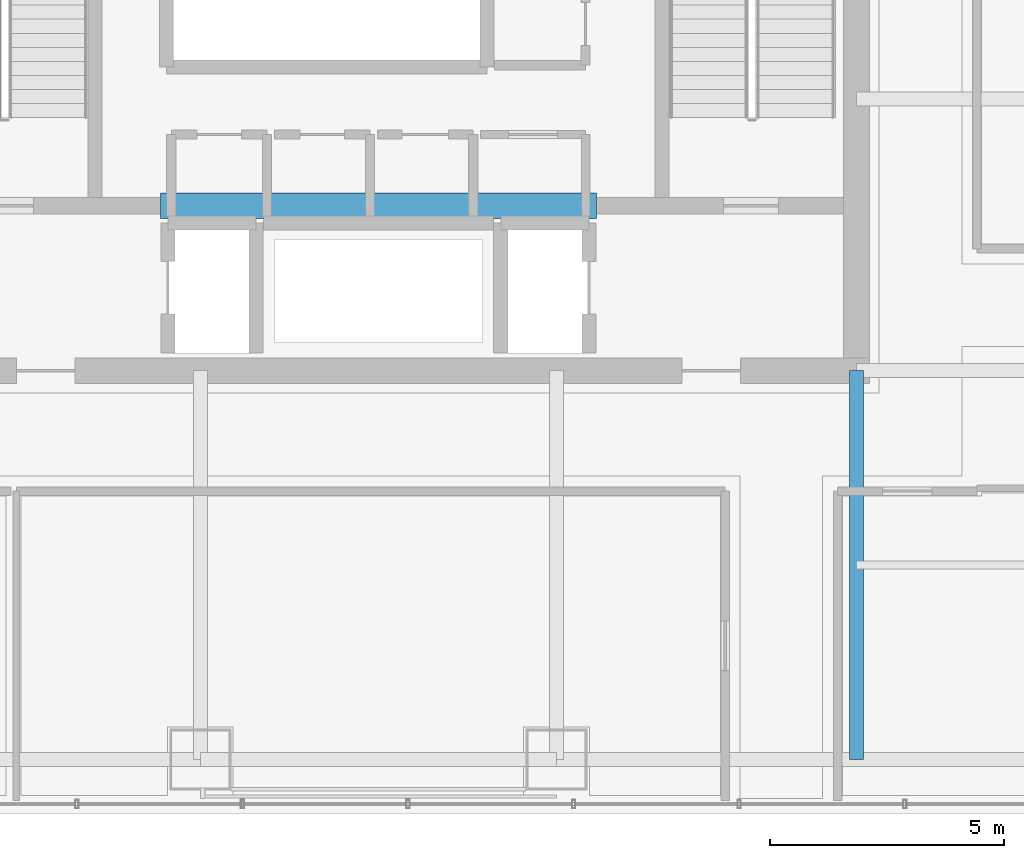
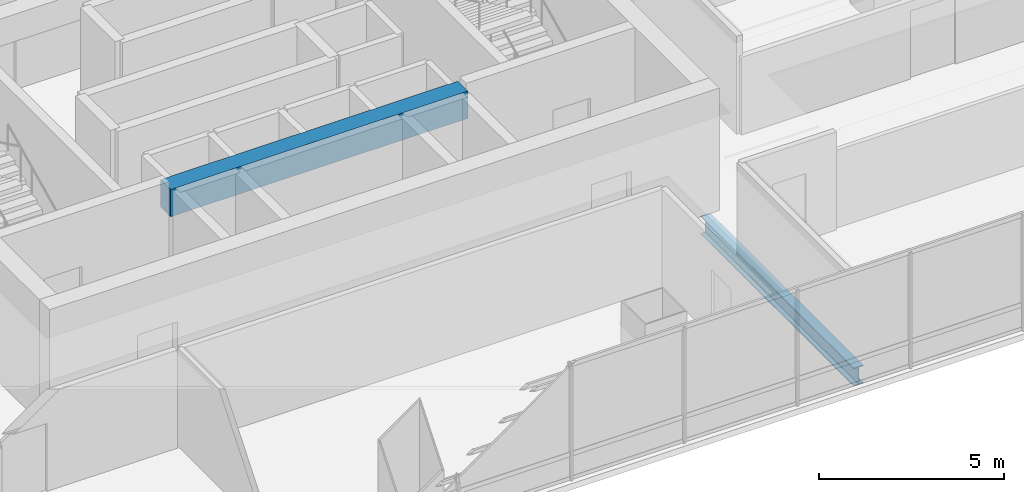
# One storey, part 9 of 42: 2 beams.
"""IFC4 building model written with IfcOpenShell, lengths in metres."""

from ifc_helpers import new_model, si_unit, direction, frame, origin, origin_2d, place, context, subcontext, project, spatial, rectangle, i_section, extrude, material, material_profile, profile_set, type_object, element, save


model = new_model("IFC4")

# Units and contexts
model_context = context("Model", 3, precision=1e-05, world=origin(), true_north=direction((0.0, 1.0)))
body_context = subcontext(model_context, "Body", "Model", "MODEL_VIEW")
ifc_project = project(units=[si_unit("LENGTHUNIT", "METRE"), si_unit("AREAUNIT", "SQUARE_METRE"), si_unit("VOLUMEUNIT", "CUBIC_METRE"), si_unit("PLANEANGLEUNIT", "RADIAN"), si_unit("MASSUNIT", "GRAM", prefix="KILO")], contexts=[model_context])

# Site, building, storey
site_placement = place(None, origin())
site = spatial("IfcSite", under=ifc_project, at=site_placement, CompositionType="ELEMENT")
building_placement = place(site_placement, origin())
building = spatial("IfcBuilding", under=site, at=building_placement, Name="Punatoya Terracotta Tower", CompositionType="ELEMENT")
storey_placement = place(building_placement, frame((0.0, 0.0, 255.449951171875)))
storey = spatial("IfcBuildingStorey", under=building, at=storey_placement, Name="L60", CompositionType="ELEMENT", Elevation=255.449951171875)

# Beams
ifc_material_1 = material(Name="Steel S355", Category="steel")
ifc_material_profile_1 = material_profile(ifc_material_1, i_section(OverallWidth=0.300048828125, OverallDepth=0.60009765625, WebThickness=0.015380859375, FlangeThickness=0.030029296875, FilletRadius=0.01806640625, at=origin_2d()))
ifc_profile_set_1 = profile_set([ifc_material_profile_1], Name="Steel S355")
beam_type_1 = type_object("IfcBeamType", Name="BM-PRI-600", PredefinedType="BEAM", material=ifc_profile_set_1)
beam_1_placement = place(storey_placement, frame((10.199951171875, -17.5, -0.5), z_axis=(0.0, 1.0, 0.0), x_axis=(-1.0, 0.0, 0.0)))
element("IfcBeam", 1, at=beam_1_placement, inside=storey, type_object=beam_type_1, Name="BM-L60-PR-S4", PredefinedType="BEAM", context=body_context, shape_type="SweptSolid", body=[
    extrude(i_section(OverallWidth=0.300048828125, OverallDepth=0.60009765625, WebThickness=0.015380859375, FlangeThickness=0.030029296875, FilletRadius=0.01806640625, at=origin_2d()), origin(), (0.0, 0.0, 1.0), 8.300048828125),
])
ifc_material_2 = material(Name="Concrete C50/60", Category="concrete")
ifc_material_profile_2 = material_profile(ifc_material_2, rectangle(XDim=0.550048828125, YDim=0.89990234375, at=origin_2d()))
ifc_profile_set_2 = profile_set([ifc_material_profile_2], Name="Concrete C50/60")
beam_type_2 = type_object("IfcBeamType", Name="BM-RC-900", PredefinedType="LINTEL", material=ifc_profile_set_2)
beam_2_placement = place(storey_placement, frame((-4.64990234375, -5.679931640625, 3.400146484375), z_axis=(1.0, 0.0, 0.0), x_axis=(0.0, 1.0, 0.0)))
element("IfcBeam", 2, at=beam_2_placement, inside=storey, type_object=beam_type_2, Name="L60 Core Coupling Lintel CSW", PredefinedType="LINTEL", context=body_context, shape_type="SweptSolid", body=[
    extrude(rectangle(XDim=0.550048828125, YDim=0.89990234375, at=origin_2d()), origin(), (0.0, 0.0, 1.0), 9.2998046875),
])

save(model, "model.ifc")
